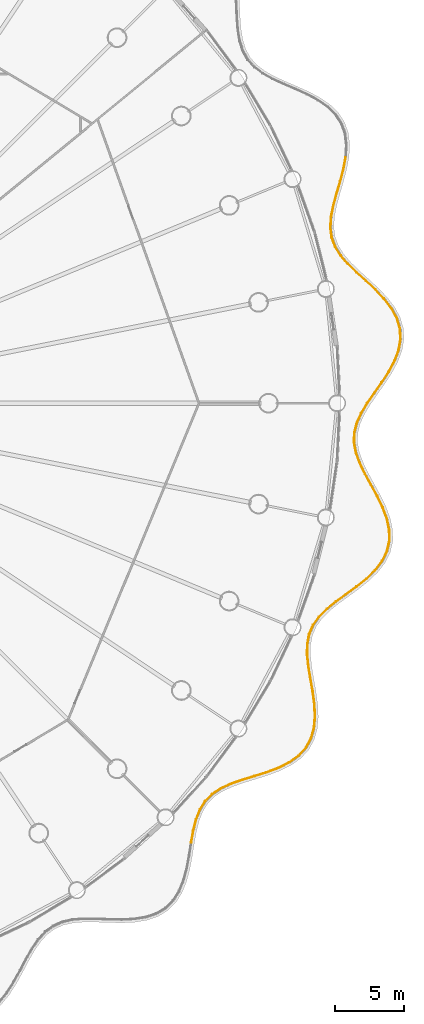
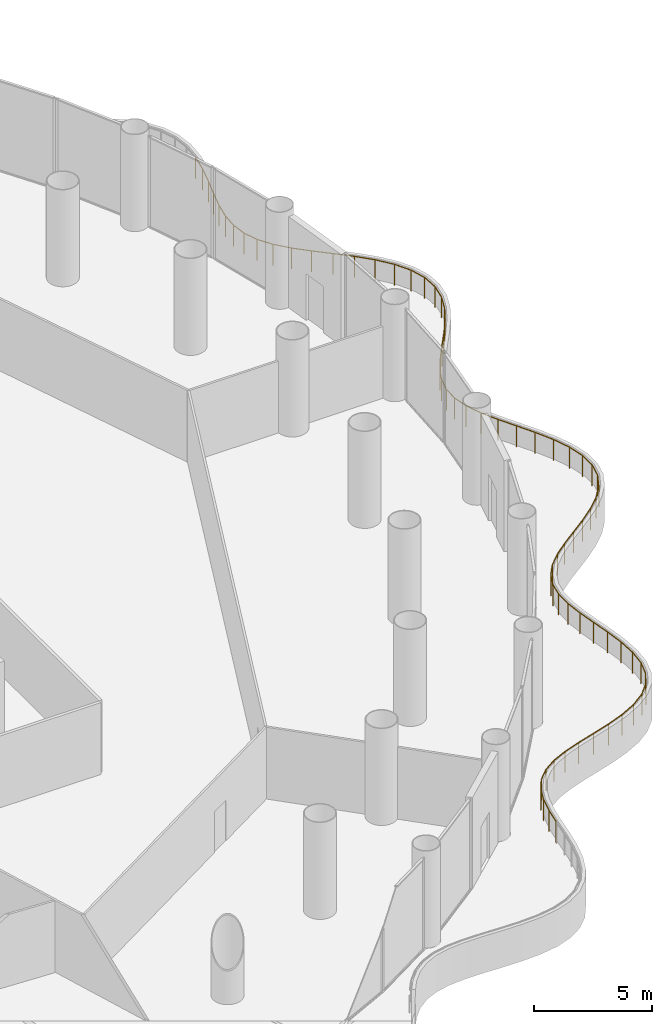
# One storey, part 33 of 35: 3 railings.
"""IFC4 building model written with IfcOpenShell, lengths in metres."""

from ifc_helpers import new_model, si_unit, direction, frame, origin, origin_2d, place, context, subcontext, project, spatial, circle, extrude, material, type_object, element, save


model = new_model("IFC4")

# Units and contexts
model_context = context("Model", 3, precision=1e-05, world=origin(), true_north=direction((0.0, 1.0)))
body_context = subcontext(model_context, "Body", "Model", "MODEL_VIEW")
ifc_project = project(units=[si_unit("LENGTHUNIT", "METRE"), si_unit("AREAUNIT", "SQUARE_METRE"), si_unit("VOLUMEUNIT", "CUBIC_METRE"), si_unit("PLANEANGLEUNIT", "RADIAN"), si_unit("MASSUNIT", "GRAM", prefix="KILO")], contexts=[model_context])

# Site, building, storey
site_placement = place(None, origin())
site = spatial("IfcSite", under=ifc_project, at=site_placement, CompositionType="ELEMENT")
building_placement = place(site_placement, origin())
building = spatial("IfcBuilding", under=site, at=building_placement, Name="Corvane Civic Tower", CompositionType="ELEMENT")
storey_placement = place(building_placement, frame((0.0, 0.0, 27.0)))
storey = spatial("IfcBuildingStorey", under=building, at=storey_placement, Name="L05", CompositionType="ELEMENT", Elevation=27.0)

# Railings
ifc_material = material(Name="Steel ASTM A572 Gr 50", Category="steel")
railing_type = type_object("IfcRailingType", Name="PODIUM-RL-GUARD-1100", PredefinedType="GUARDRAIL", material=ifc_material)
railing_1_placement = place(storey_placement, frame((32.0673828125, -32.03857421875, 0.0)))
element("IfcRailing", 1, at=railing_1_placement, inside=storey, type_object=railing_type, Name="L05 ribbon guard 11", PredefinedType="GUARDRAIL", context=body_context, shape_type="SweptSolid", body=[
    extrude(circle(Radius=0.02392578125, at=origin_2d()), frame((0.0, 0.0, 1.076171875), z_axis=(0.17197945119, 0.985100537188, 0.0), x_axis=(-0.985100537188, 0.17197945119, 0.0)), (0.0, 0.0, 1.0), 0.87158203125),
    extrude(circle(Radius=0.02392578125, at=origin_2d()), frame((0.14990234375, 0.858642578125, 1.076171875), z_axis=(0.240552729044, 0.970636072145, 0.0), x_axis=(-0.970636072145, 0.240552729044, 0.0)), (0.0, 0.0, 1.0), 0.84033203125),
    extrude(circle(Radius=0.02392578125, at=origin_2d()), frame((0.35205078125, 1.67431640625, 1.076171875), z_axis=(0.364127112488, 0.931349260993, 0.0), x_axis=(-0.931349260993, 0.364127112488, 0.0)), (0.0, 0.0, 1.0), 0.77783203125),
    extrude(circle(Radius=0.02392578125, at=origin_2d()), frame((0.63525390625, 2.398681640625, 1.076171875), z_axis=(0.531378363688, 0.847134602412, 0.0), x_axis=(-0.847134602412, 0.531378363688, 0.0)), (0.0, 0.0, 1.0), 0.7314453125),
    extrude(circle(Radius=0.02392578125, at=origin_2d()), frame((1.02392578125, 3.018310546875, 1.076171875), z_axis=(0.704058219448, 0.710142255909, 0.0), x_axis=(-0.710142255909, 0.704058219448, 0.0)), (0.0, 0.0, 1.0), 0.722412109375),
    extrude(circle(Radius=0.02392578125, at=origin_2d()), frame((1.532470703125, 3.53125, 1.076171875), z_axis=(0.834826447592, 0.550513217281, 0.0), x_axis=(-0.550513217281, 0.834826447592, 0.0)), (0.0, 0.0, 1.0), 0.7548828125),
    extrude(circle(Radius=0.02392578125, at=origin_2d()), frame((2.16259765625, 3.94677734375, 1.076171875), z_axis=(0.909934316687, 0.414752383134, 0.0), x_axis=(-0.414752383134, 0.909934316687, 0.0)), (0.0, 0.0, 1.0), 0.8134765625),
    extrude(circle(Radius=0.02392578125, at=origin_2d()), frame((2.90283203125, 4.2841796875, 1.076171875), z_axis=(0.944936308827, 0.32725429296, 0.0), x_axis=(-0.32725429296, 0.944936308827, 0.0)), (0.0, 0.0, 1.0), 0.875),
    extrude(circle(Radius=0.02392578125, at=origin_2d()), frame((3.729736328125, 4.570556640625, 1.076171875), z_axis=(0.957010999793, 0.290051626915, 0.0), x_axis=(-0.290051626915, 0.957010999793, 0.0)), (0.0, 0.0, 1.0), 0.919189453125),
    extrude(circle(Radius=0.02392578125, at=origin_2d()), frame((4.609375, 4.837158203125, 1.076171875), z_axis=(0.954098219534, 0.299493885551, 0.0), x_axis=(-0.299493885551, 0.954098219534, 0.0)), (0.0, 0.0, 1.0), 0.93505859375),
    extrude(circle(Radius=0.02392578125, at=origin_2d()), frame((5.50146484375, 5.1171875, 1.076171875), z_axis=(0.93572746823, 0.352723837017, 0.0), x_axis=(-0.352723837017, 0.93572746823, 0.0)), (0.0, 0.0, 1.0), 0.919189453125),
    extrude(circle(Radius=0.02392578125, at=origin_2d()), frame((6.361572265625, 5.44140625, 1.076171875), z_axis=(0.893704177194, 0.448656710266, 0.0), x_axis=(-0.448656710266, 0.893704177194, 0.0)), (0.0, 0.0, 1.0), 0.87939453125),
    extrude(circle(Radius=0.02392578125, at=origin_2d()), frame((7.1474609375, 5.8359375, 1.076171875), z_axis=(0.812498858808, 0.582962781347, 0.0), x_axis=(-0.582962781347, 0.812498858808, 0.0)), (0.0, 0.0, 1.0), 0.82958984375),
    extrude(circle(Radius=0.02392578125, at=origin_2d()), frame((7.821533203125, 6.319580078125, 1.076171875), z_axis=(0.676018384359, 0.73688475626, 0.0), x_axis=(-0.73688475626, 0.676018384359, 0.0)), (0.0, 0.0, 1.0), 0.790283203125),
    extrude(circle(Radius=0.02392578125, at=origin_2d()), frame((8.355712890625, 6.90185546875, 1.076171875), z_axis=(0.485882298795, 0.874024251218, 0.0), x_axis=(-0.874024251218, 0.485882298795, 0.0)), (0.0, 0.0, 1.0), 0.779296875),
    extrude(circle(Radius=0.02392578125, at=origin_2d()), frame((8.734375, 7.5830078125, 1.076171875), z_axis=(0.275404329988, 0.961328484455, 0.0), x_axis=(-0.961328484455, 0.275404329988, 0.0)), (0.0, 0.0, 1.0), 0.80224609375),
    extrude(circle(Radius=0.02392578125, at=origin_2d()), frame((8.955322265625, 8.354248046875, 1.076171875), z_axis=(0.089574843607, 0.995980093874, 0.0), x_axis=(-0.995980093874, 0.089574843607, 0.0)), (0.0, 0.0, 1.0), 0.84765625),
    extrude(circle(Radius=0.02392578125, at=origin_2d()), frame((9.03125, 9.198486328125, 1.076171875), z_axis=(-0.047668682951, 0.998863202178, 0.0), x_axis=(-0.998863202178, -0.047668682951, 0.0)), (0.0, 0.0, 1.0), 0.896240234375),
    extrude(circle(Radius=0.02392578125, at=origin_2d()), frame((8.988525390625, 10.09375, 1.076171875), z_axis=(-0.133834148505, 0.991003744036, 0.0), x_axis=(-0.991003744036, -0.133834148505, 0.0)), (0.0, 0.0, 1.0), 0.928466796875),
    extrude(circle(Radius=0.02392578125, at=origin_2d()), frame((8.8642578125, 11.013916015625, 1.076171875), z_axis=(-0.17250097261, 0.985009347392, 0.0), x_axis=(-0.985009347392, -0.17250097261, 0.0)), (0.0, 0.0, 1.0), 0.9326171875),
    extrude(circle(Radius=0.02392578125, at=origin_2d()), frame((8.703369140625, 11.9326171875, 1.076171875), z_axis=(-0.164923362683, 0.98630638467, 0.0), x_axis=(-0.98630638467, -0.164923362683, 0.0)), (0.0, 0.0, 1.0), 0.906005859375),
    extrude(circle(Radius=0.02392578125, at=origin_2d()), frame((8.553955078125, 12.826171875, 1.076171875), z_axis=(-0.107007929362, 0.994258167205, 0.0), x_axis=(-0.994258167205, -0.107007929362, 0.0)), (0.0, 0.0, 1.0), 0.853271484375),
    extrude(circle(Radius=0.02392578125, at=origin_2d()), frame((8.462646484375, 13.674560546875, 1.076171875), z_axis=(0.009576329479, 0.999954145906, 0.0), x_axis=(-0.999954145906, 0.009576329479, 0.0)), (0.0, 0.0, 1.0), 0.790283203125),
    extrude(circle(Radius=0.02392578125, at=origin_2d()), frame((8.47021484375, 14.46484375, 1.076171875), z_axis=(0.184784369024, 0.982779088587, 0.0), x_axis=(-0.982779088587, 0.184784369024, 0.0)), (0.0, 0.0, 1.0), 0.71337890625),
    extrude(circle(Radius=0.02099609375, at=origin_2d()), origin(), (0.0, 0.0, 1.0), 1.052001953125),
    extrude(circle(Radius=0.02099609375, at=origin_2d()), frame((0.14990234375, 0.858642578125, 0.0)), (0.0, 0.0, 1.0), 1.052001953125),
    extrude(circle(Radius=0.02099609375, at=origin_2d()), frame((0.35205078125, 1.67431640625, 0.0)), (0.0, 0.0, 1.0), 1.052001953125),
    extrude(circle(Radius=0.02099609375, at=origin_2d()), frame((0.63525390625, 2.398681640625, 0.0)), (0.0, 0.0, 1.0), 1.052001953125),
    extrude(circle(Radius=0.02099609375, at=origin_2d()), frame((1.02392578125, 3.018310546875, 0.0)), (0.0, 0.0, 1.0), 1.052001953125),
    extrude(circle(Radius=0.02099609375, at=origin_2d()), frame((1.532470703125, 3.53125, 0.0)), (0.0, 0.0, 1.0), 1.052001953125),
    extrude(circle(Radius=0.02099609375, at=origin_2d()), frame((2.16259765625, 3.94677734375, 0.0)), (0.0, 0.0, 1.0), 1.052001953125),
    extrude(circle(Radius=0.02099609375, at=origin_2d()), frame((2.90283203125, 4.2841796875, 0.0)), (0.0, 0.0, 1.0), 1.052001953125),
    extrude(circle(Radius=0.02099609375, at=origin_2d()), frame((3.729736328125, 4.570556640625, 0.0)), (0.0, 0.0, 1.0), 1.052001953125),
    extrude(circle(Radius=0.02099609375, at=origin_2d()), frame((4.609375, 4.837158203125, 0.0)), (0.0, 0.0, 1.0), 1.052001953125),
    extrude(circle(Radius=0.02099609375, at=origin_2d()), frame((5.50146484375, 5.1171875, 0.0)), (0.0, 0.0, 1.0), 1.052001953125),
    extrude(circle(Radius=0.02099609375, at=origin_2d()), frame((6.361572265625, 5.44140625, 0.0)), (0.0, 0.0, 1.0), 1.052001953125),
    extrude(circle(Radius=0.02099609375, at=origin_2d()), frame((7.1474609375, 5.8359375, 0.0)), (0.0, 0.0, 1.0), 1.052001953125),
    extrude(circle(Radius=0.02099609375, at=origin_2d()), frame((7.821533203125, 6.319580078125, 0.0)), (0.0, 0.0, 1.0), 1.052001953125),
    extrude(circle(Radius=0.02099609375, at=origin_2d()), frame((8.355712890625, 6.90185546875, 0.0)), (0.0, 0.0, 1.0), 1.052001953125),
    extrude(circle(Radius=0.02099609375, at=origin_2d()), frame((8.734375, 7.5830078125, 0.0)), (0.0, 0.0, 1.0), 1.052001953125),
    extrude(circle(Radius=0.02099609375, at=origin_2d()), frame((8.955322265625, 8.354248046875, 0.0)), (0.0, 0.0, 1.0), 1.052001953125),
    extrude(circle(Radius=0.02099609375, at=origin_2d()), frame((9.03125, 9.198486328125, 0.0)), (0.0, 0.0, 1.0), 1.052001953125),
    extrude(circle(Radius=0.02099609375, at=origin_2d()), frame((8.988525390625, 10.09375, 0.0)), (0.0, 0.0, 1.0), 1.052001953125),
    extrude(circle(Radius=0.02099609375, at=origin_2d()), frame((8.8642578125, 11.013916015625, 0.0)), (0.0, 0.0, 1.0), 1.052001953125),
    extrude(circle(Radius=0.02099609375, at=origin_2d()), frame((8.703369140625, 11.9326171875, 0.0)), (0.0, 0.0, 1.0), 1.052001953125),
    extrude(circle(Radius=0.02099609375, at=origin_2d()), frame((8.553955078125, 12.826171875, 0.0)), (0.0, 0.0, 1.0), 1.052001953125),
    extrude(circle(Radius=0.02099609375, at=origin_2d()), frame((8.462646484375, 13.674560546875, 0.0)), (0.0, 0.0, 1.0), 1.052001953125),
    extrude(circle(Radius=0.02099609375, at=origin_2d()), frame((8.47021484375, 14.46484375, 0.0)), (0.0, 0.0, 1.0), 1.052001953125),
    extrude(circle(Radius=0.02099609375, at=origin_2d()), frame((8.60205078125, 15.166015625, 0.0)), (0.0, 0.0, 1.0), 1.052001953125),
])
railing_2_placement = place(storey_placement, frame((40.683837890625, -16.824951171875, 0.0)))
element("IfcRailing", 2, at=railing_2_placement, inside=storey, type_object=railing_type, Name="L05 ribbon guard 12", PredefinedType="GUARDRAIL", context=body_context, shape_type="SweptSolid", body=[
    extrude(circle(Radius=0.02392578125, at=origin_2d()), frame((0.0, 0.0, 1.076171875), z_axis=(0.392648450262, 0.919688639979, 0.0), x_axis=(-0.919688639979, 0.392648450262, 0.0)), (0.0, 0.0, 1.0), 0.69580078125),
    extrude(circle(Radius=0.02392578125, at=origin_2d()), frame((0.273193359375, 0.639892578125, 1.076171875), z_axis=(0.578662648037, 0.815567005075, 0.0), x_axis=(-0.815567005075, 0.578662648037, 0.0)), (0.0, 0.0, 1.0), 0.7451171875),
    extrude(circle(Radius=0.02392578125, at=origin_2d()), frame((0.704345703125, 1.24755859375, 1.076171875), z_axis=(0.706648958876, 0.707564307268, 0.0), x_axis=(-0.707564307268, 0.706648958876, 0.0)), (0.0, 0.0, 1.0), 0.800048828125),
    extrude(circle(Radius=0.02392578125, at=origin_2d()), frame((1.269775390625, 1.813720703125, 1.076171875), z_axis=(0.778100739541, 0.628139506102, 0.0), x_axis=(-0.628139506102, 0.778100739541, 0.0)), (0.0, 0.0, 1.0), 0.86279296875),
    extrude(circle(Radius=0.02392578125, at=origin_2d()), frame((1.941162109375, 2.355712890625, 1.076171875), z_axis=(0.808620320993, 0.588330839305, 0.0), x_axis=(-0.588330839305, 0.808620320993, 0.0)), (0.0, 0.0, 1.0), 0.912109375),
    extrude(circle(Radius=0.02392578125, at=origin_2d()), frame((2.6787109375, 2.892333984375, 1.076171875), z_axis=(0.808634355419, 0.588311549466, 0.0), x_axis=(-0.588311549466, 0.808634355419, 0.0)), (0.0, 0.0, 1.0), 0.93408203125),
    extrude(circle(Radius=0.02392578125, at=origin_2d()), frame((3.43408203125, 3.44189453125, 1.076171875), z_axis=(0.780430885858, 0.625242059045, 0.0), x_axis=(-0.625242059045, 0.780430885858, 0.0)), (0.0, 0.0, 1.0), 0.925048828125),
    extrude(circle(Radius=0.02392578125, at=origin_2d()), frame((4.156005859375, 4.020263671875, 1.076171875), z_axis=(0.718274525848, 0.695759804472, 0.0), x_axis=(-0.695759804472, 0.718274525848, 0.0)), (0.0, 0.0, 1.0), 0.88916015625),
    extrude(circle(Radius=0.02392578125, at=origin_2d()), frame((4.794677734375, 4.638916015625, 1.076171875), z_axis=(0.609261138416, 0.792969649618, 0.0), x_axis=(-0.792969649618, 0.609261138416, 0.0)), (0.0, 0.0, 1.0), 0.83984375),
    extrude(circle(Radius=0.02392578125, at=origin_2d()), frame((5.306396484375, 5.304931640625, 1.076171875), z_axis=(0.442549118131, 0.896744265686, 0.0), x_axis=(-0.896744265686, 0.442549118131, 0.0)), (0.0, 0.0, 1.0), 0.796630859375),
    extrude(circle(Radius=0.02392578125, at=origin_2d()), frame((5.658935546875, 6.019287109375, 1.076171875), z_axis=(0.22479081448, 0.974407045195, 0.0), x_axis=(-0.974407045195, 0.22479081448, 0.0)), (0.0, 0.0, 1.0), 0.77880859375),
    extrude(circle(Radius=0.02392578125, at=origin_2d()), frame((5.833984375, 6.778076171875, 1.076171875), z_axis=(-0.005835281486, 0.9999829746, 0.0), x_axis=(-0.9999829746, -0.005835281486, 0.0)), (0.0, 0.0, 1.0), 0.794921875),
    extrude(circle(Radius=0.02392578125, at=origin_2d()), frame((5.829345703125, 7.572998046875, 1.076171875), z_axis=(-0.203849440794, 0.979002249991, 0.0), x_axis=(-0.979002249991, -0.203849440794, 0.0)), (0.0, 0.0, 1.0), 0.837158203125),
    extrude(circle(Radius=0.02392578125, at=origin_2d()), frame((5.65869140625, 8.392578125, 1.076171875), z_axis=(-0.346292090421, 0.938126744162, 0.0), x_axis=(-0.938126744162, -0.346292090421, 0.0)), (0.0, 0.0, 1.0), 0.886962890625),
    extrude(circle(Radius=0.02392578125, at=origin_2d()), frame((5.3515625, 9.224609375, 1.076171875), z_axis=(-0.435864894401, 0.900012107601, 0.0), x_axis=(-0.900012107601, -0.435864894401, 0.0)), (0.0, 0.0, 1.0), 0.923583984375),
    extrude(circle(Radius=0.02392578125, at=origin_2d()), frame((4.948974609375, 10.055908203125, 1.076171875), z_axis=(-0.47910835533, 0.877755765491, 0.0), x_axis=(-0.877755765491, -0.47910835533, 0.0)), (0.0, 0.0, 1.0), 0.9345703125),
    extrude(circle(Radius=0.02392578125, at=origin_2d()), frame((4.501220703125, 10.876220703125, 1.076171875), z_axis=(-0.48107769897, 0.876677961143, 0.0), x_axis=(-0.876677961143, -0.48107769897, 0.0)), (0.0, 0.0, 1.0), 0.9140625),
    extrude(circle(Radius=0.02392578125, at=origin_2d()), frame((4.0615234375, 11.677490234375, 1.076171875), z_axis=(-0.439301158642, 0.898339853294, 0.0), x_axis=(-0.898339853294, -0.439301158642, 0.0)), (0.0, 0.0, 1.0), 0.865966796875),
    extrude(circle(Radius=0.02392578125, at=origin_2d()), frame((3.68115234375, 12.455322265625, 1.076171875), z_axis=(-0.343888648541, 0.939010435195, 0.0), x_axis=(-0.939010435195, -0.343888648541, 0.0)), (0.0, 0.0, 1.0), 0.8037109375),
    extrude(circle(Radius=0.02392578125, at=origin_2d()), frame((3.40478515625, 13.2099609375, 1.076171875), z_axis=(-0.185235244446, 0.982694206869, 0.0), x_axis=(-0.982694206869, -0.185235244446, 0.0)), (0.0, 0.0, 1.0), 0.747314453125),
    extrude(circle(Radius=0.02392578125, at=origin_2d()), frame((3.266357421875, 13.9443359375, 1.076171875), z_axis=(0.025745445057, 0.999668531094, 0.0), x_axis=(-0.999668531094, 0.025745445057, 0.0)), (0.0, 0.0, 1.0), 0.720703125),
    extrude(circle(Radius=0.02392578125, at=origin_2d()), frame((3.284912109375, 14.664794921875, 1.076171875), z_axis=(0.241599759092, 0.970375987134, 0.0), x_axis=(-0.970375987134, 0.241599759092, 0.0)), (0.0, 0.0, 1.0), 0.736572265625),
    extrude(circle(Radius=0.02392578125, at=origin_2d()), frame((3.462890625, 15.379638671875, 1.076171875), z_axis=(0.410996558744, 0.911636895206, 0.0), x_axis=(-0.911636895206, 0.410996558744, 0.0)), (0.0, 0.0, 1.0), 0.787109375),
    extrude(circle(Radius=0.02392578125, at=origin_2d()), frame((3.786376953125, 16.09716796875, 1.076171875), z_axis=(0.517147247165, 0.855896445108, 0.0), x_axis=(-0.855896445108, 0.517147247165, 0.0)), (0.0, 0.0, 1.0), 0.8251953125),
    extrude(circle(Radius=0.02099609375, at=origin_2d()), origin(), (0.0, 0.0, 1.0), 1.052001953125),
    extrude(circle(Radius=0.02099609375, at=origin_2d()), frame((0.273193359375, 0.639892578125, 0.0)), (0.0, 0.0, 1.0), 1.052001953125),
    extrude(circle(Radius=0.02099609375, at=origin_2d()), frame((0.704345703125, 1.24755859375, 0.0)), (0.0, 0.0, 1.0), 1.052001953125),
    extrude(circle(Radius=0.02099609375, at=origin_2d()), frame((1.269775390625, 1.813720703125, 0.0)), (0.0, 0.0, 1.0), 1.052001953125),
    extrude(circle(Radius=0.02099609375, at=origin_2d()), frame((1.941162109375, 2.355712890625, 0.0)), (0.0, 0.0, 1.0), 1.052001953125),
    extrude(circle(Radius=0.02099609375, at=origin_2d()), frame((2.6787109375, 2.892333984375, 0.0)), (0.0, 0.0, 1.0), 1.052001953125),
    extrude(circle(Radius=0.02099609375, at=origin_2d()), frame((3.43408203125, 3.44189453125, 0.0)), (0.0, 0.0, 1.0), 1.052001953125),
    extrude(circle(Radius=0.02099609375, at=origin_2d()), frame((4.156005859375, 4.020263671875, 0.0)), (0.0, 0.0, 1.0), 1.052001953125),
    extrude(circle(Radius=0.02099609375, at=origin_2d()), frame((4.794677734375, 4.638916015625, 0.0)), (0.0, 0.0, 1.0), 1.052001953125),
    extrude(circle(Radius=0.02099609375, at=origin_2d()), frame((5.306396484375, 5.304931640625, 0.0)), (0.0, 0.0, 1.0), 1.052001953125),
    extrude(circle(Radius=0.02099609375, at=origin_2d()), frame((5.658935546875, 6.019287109375, 0.0)), (0.0, 0.0, 1.0), 1.052001953125),
    extrude(circle(Radius=0.02099609375, at=origin_2d()), frame((5.833984375, 6.778076171875, 0.0)), (0.0, 0.0, 1.0), 1.052001953125),
    extrude(circle(Radius=0.02099609375, at=origin_2d()), frame((5.829345703125, 7.572998046875, 0.0)), (0.0, 0.0, 1.0), 1.052001953125),
    extrude(circle(Radius=0.02099609375, at=origin_2d()), frame((5.65869140625, 8.392578125, 0.0)), (0.0, 0.0, 1.0), 1.052001953125),
    extrude(circle(Radius=0.02099609375, at=origin_2d()), frame((5.3515625, 9.224609375, 0.0)), (0.0, 0.0, 1.0), 1.052001953125),
    extrude(circle(Radius=0.02099609375, at=origin_2d()), frame((4.948974609375, 10.055908203125, 0.0)), (0.0, 0.0, 1.0), 1.052001953125),
    extrude(circle(Radius=0.02099609375, at=origin_2d()), frame((4.501220703125, 10.876220703125, 0.0)), (0.0, 0.0, 1.0), 1.052001953125),
    extrude(circle(Radius=0.02099609375, at=origin_2d()), frame((4.0615234375, 11.677490234375, 0.0)), (0.0, 0.0, 1.0), 1.052001953125),
    extrude(circle(Radius=0.02099609375, at=origin_2d()), frame((3.68115234375, 12.455322265625, 0.0)), (0.0, 0.0, 1.0), 1.052001953125),
    extrude(circle(Radius=0.02099609375, at=origin_2d()), frame((3.40478515625, 13.2099609375, 0.0)), (0.0, 0.0, 1.0), 1.052001953125),
    extrude(circle(Radius=0.02099609375, at=origin_2d()), frame((3.266357421875, 13.9443359375, 0.0)), (0.0, 0.0, 1.0), 1.052001953125),
    extrude(circle(Radius=0.02099609375, at=origin_2d()), frame((3.284912109375, 14.664794921875, 0.0)), (0.0, 0.0, 1.0), 1.052001953125),
    extrude(circle(Radius=0.02099609375, at=origin_2d()), frame((3.462890625, 15.379638671875, 0.0)), (0.0, 0.0, 1.0), 1.052001953125),
    extrude(circle(Radius=0.02099609375, at=origin_2d()), frame((3.786376953125, 16.09716796875, 0.0)), (0.0, 0.0, 1.0), 1.052001953125),
    extrude(circle(Radius=0.02099609375, at=origin_2d()), frame((4.213134765625, 16.803466796875, 0.0)), (0.0, 0.0, 1.0), 1.052001953125),
])
railing_3_placement = place(storey_placement, frame((44.924072265625, 0.0205078125, 0.0)))
element("IfcRailing", 3, at=railing_3_placement, inside=storey, type_object=railing_type, Name="L05 ribbon guard 13", PredefinedType="GUARDRAIL", context=body_context, shape_type="SweptSolid", body=[
    extrude(circle(Radius=0.02392578125, at=origin_2d()), frame((0.0, 0.0, 1.076171875), z_axis=(0.568660915, 0.822572041678, 0.0), x_axis=(-0.822572041678, 0.568660915, 0.0)), (0.0, 0.0, 1.0), 0.87890625),
    extrude(circle(Radius=0.02392578125, at=origin_2d()), frame((0.499755859375, 0.722900390625, 1.076171875), z_axis=(0.57721775227, 0.816590268411, 0.0), x_axis=(-0.816590268411, 0.57721775227, 0.0)), (0.0, 0.0, 1.0), 0.93212890625),
    extrude(circle(Radius=0.02392578125, at=origin_2d()), frame((1.037841796875, 1.484130859375, 1.076171875), z_axis=(0.546612268457, 0.837385829813, 0.0), x_axis=(-0.837385829813, 0.546612268457, 0.0)), (0.0, 0.0, 1.0), 0.929443359375),
    extrude(circle(Radius=0.02392578125, at=origin_2d()), frame((1.5458984375, 2.262451171875, 1.076171875), z_axis=(0.47450492985, 0.880252845237, 0.0), x_axis=(-0.880252845237, 0.47450492985, 0.0)), (0.0, 0.0, 1.0), 0.8984375),
    extrude(circle(Radius=0.02392578125, at=origin_2d()), frame((1.97216796875, 3.05322265625, 1.076171875), z_axis=(0.351909725768, 0.936033944315, 0.0), x_axis=(-0.936033944315, 0.351909725768, 0.0)), (0.0, 0.0, 1.0), 0.8505859375),
    extrude(circle(Radius=0.02392578125, at=origin_2d()), frame((2.271484375, 3.849365234375, 1.076171875), z_axis=(0.17217408361, 0.985066538328, 0.0), x_axis=(-0.985066538328, 0.17217408361, 0.0)), (0.0, 0.0, 1.0), 0.803955078125),
    extrude(circle(Radius=0.02392578125, at=origin_2d()), frame((2.409912109375, 4.641357421875, 1.076171875), z_axis=(-0.053857123903, 0.998548651897, 0.0), x_axis=(-0.998548651897, -0.053857123903, 0.0)), (0.0, 0.0, 1.0), 0.77978515625),
    extrude(circle(Radius=0.02392578125, at=origin_2d()), frame((2.367919921875, 5.419921875, 1.076171875), z_axis=(-0.285331434771, 0.958428908335, 0.0), x_axis=(-0.958428908335, -0.285331434771, 0.0)), (0.0, 0.0, 1.0), 0.788818359375),
    extrude(circle(Radius=0.02392578125, at=origin_2d()), frame((2.142822265625, 6.176025390625, 1.076171875), z_axis=(-0.477652034744, 0.878549107168, 0.0), x_axis=(-0.878549107168, -0.477652034744, 0.0)), (0.0, 0.0, 1.0), 0.826904296875),
    extrude(circle(Radius=0.02392578125, at=origin_2d()), frame((1.747802734375, 6.902587890625, 1.076171875), z_axis=(-0.611122571136, 0.791535977103, 0.0), x_axis=(-0.791535977103, -0.611122571136, 0.0)), (0.0, 0.0, 1.0), 0.876953125),
    extrude(circle(Radius=0.02392578125, at=origin_2d()), frame((1.2119140625, 7.5966796875, 1.076171875), z_axis=(-0.69273115496, 0.7211959144, 0.0), x_axis=(-0.7211959144, -0.69273115496, 0.0)), (0.0, 0.0, 1.0), 0.917724609375),
    extrude(circle(Radius=0.02392578125, at=origin_2d()), frame((0.576171875, 8.258544921875, 1.076171875), z_axis=(-0.733871572255, 0.679288241792, 0.0), x_axis=(-0.679288241792, -0.733871572255, 0.0)), (0.0, 0.0, 1.0), 0.934814453125),
    extrude(circle(Radius=0.02392578125, at=origin_2d()), frame((-0.10986328125, 8.8935546875, 1.076171875), z_axis=(-0.742119659929, 0.670267417042, 0.0), x_axis=(-0.670267417042, -0.742119659929, 0.0)), (0.0, 0.0, 1.0), 0.9208984375),
    extrude(circle(Radius=0.02392578125, at=origin_2d()), frame((-0.793212890625, 9.5107421875, 1.076171875), z_axis=(-0.717184070385, 0.696883784562, 0.0), x_axis=(-0.696883784562, -0.717184070385, 0.0)), (0.0, 0.0, 1.0), 0.8779296875),
    extrude(circle(Radius=0.02392578125, at=origin_2d()), frame((-1.4228515625, 10.12255859375, 1.076171875), z_axis=(-0.650619072476, 0.759404255012, 0.0), x_axis=(-0.759404255012, -0.650619072476, 0.0)), (0.0, 0.0, 1.0), 0.81689453125),
    extrude(circle(Radius=0.02392578125, at=origin_2d()), frame((-1.954345703125, 10.742919921875, 1.076171875), z_axis=(-0.528317378365, 0.849046964377, 0.0), x_axis=(-0.849046964377, -0.528317378365, 0.0)), (0.0, 0.0, 1.0), 0.75732421875),
    extrude(circle(Radius=0.02392578125, at=origin_2d()), frame((-2.3544921875, 11.385986328125, 1.076171875), z_axis=(-0.344750673314, 0.938694291689, 0.0), x_axis=(-0.938694291689, -0.344750673314, 0.0)), (0.0, 0.0, 1.0), 0.72314453125),
    extrude(circle(Radius=0.02392578125, at=origin_2d()), frame((-2.603759765625, 12.064697265625, 1.076171875), z_axis=(-0.130125684943, 0.991497506864, 0.0), x_axis=(-0.991497506864, -0.130125684943, 0.0)), (0.0, 0.0, 1.0), 0.729736328125),
    extrude(circle(Radius=0.02392578125, at=origin_2d()), frame((-2.69873046875, 12.788330078125, 1.076171875), z_axis=(0.059886009549, 0.998205222317, 0.0), x_axis=(-0.998205222317, 0.059886009549, 0.0)), (0.0, 0.0, 1.0), 0.774658203125),
    extrude(circle(Radius=0.02392578125, at=origin_2d()), frame((-2.65234375, 13.5615234375, 1.076171875), z_axis=(0.191291109817, 0.981533347016, 0.0), x_axis=(-0.981533347016, 0.191291109817, 0.0)), (0.0, 0.0, 1.0), 0.837158203125),
    extrude(circle(Radius=0.02392578125, at=origin_2d()), frame((-2.4921875, 14.38330078125, 1.076171875), z_axis=(0.262724536639, 0.964870881439, 0.0), x_axis=(-0.964870881439, 0.262724536639, 0.0)), (0.0, 0.0, 1.0), 0.89404296875),
    extrude(circle(Radius=0.02392578125, at=origin_2d()), frame((-2.25732421875, 15.245849609375, 1.076171875), z_axis=(0.282351351328, 0.959311062379, 0.0), x_axis=(-0.959311062379, 0.282351351328, 0.0)), (0.0, 0.0, 1.0), 0.9287109375),
    extrude(circle(Radius=0.02392578125, at=origin_2d()), frame((-1.9951171875, 16.13671875, 1.076171875), z_axis=(0.256245058711, 0.966611850686, 0.0), x_axis=(-0.966611850686, 0.256245058711, 0.0)), (0.0, 0.0, 1.0), 0.932861328125),
    extrude(circle(Radius=0.02392578125, at=origin_2d()), frame((-1.756103515625, 17.038330078125, 1.076171875), z_axis=(0.184439018576, 0.982843959348, 0.0), x_axis=(-0.982843959348, 0.184439018576, 0.0)), (0.0, 0.0, 1.0), 0.881591796875),
    extrude(circle(Radius=0.02099609375, at=origin_2d()), origin(), (0.0, 0.0, 1.0), 1.052001953125),
    extrude(circle(Radius=0.02099609375, at=origin_2d()), frame((0.499755859375, 0.722900390625, 0.0)), (0.0, 0.0, 1.0), 1.052001953125),
    extrude(circle(Radius=0.02099609375, at=origin_2d()), frame((1.037841796875, 1.484130859375, 0.0)), (0.0, 0.0, 1.0), 1.052001953125),
    extrude(circle(Radius=0.02099609375, at=origin_2d()), frame((1.5458984375, 2.262451171875, 0.0)), (0.0, 0.0, 1.0), 1.052001953125),
    extrude(circle(Radius=0.02099609375, at=origin_2d()), frame((1.97216796875, 3.05322265625, 0.0)), (0.0, 0.0, 1.0), 1.052001953125),
    extrude(circle(Radius=0.02099609375, at=origin_2d()), frame((2.271484375, 3.849365234375, 0.0)), (0.0, 0.0, 1.0), 1.052001953125),
    extrude(circle(Radius=0.02099609375, at=origin_2d()), frame((2.409912109375, 4.641357421875, 0.0)), (0.0, 0.0, 1.0), 1.052001953125),
    extrude(circle(Radius=0.02099609375, at=origin_2d()), frame((2.367919921875, 5.419921875, 0.0)), (0.0, 0.0, 1.0), 1.052001953125),
    extrude(circle(Radius=0.02099609375, at=origin_2d()), frame((2.142822265625, 6.176025390625, 0.0)), (0.0, 0.0, 1.0), 1.052001953125),
    extrude(circle(Radius=0.02099609375, at=origin_2d()), frame((1.747802734375, 6.902587890625, 0.0)), (0.0, 0.0, 1.0), 1.052001953125),
    extrude(circle(Radius=0.02099609375, at=origin_2d()), frame((1.2119140625, 7.5966796875, 0.0)), (0.0, 0.0, 1.0), 1.052001953125),
    extrude(circle(Radius=0.02099609375, at=origin_2d()), frame((0.576171875, 8.258544921875, 0.0)), (0.0, 0.0, 1.0), 1.052001953125),
    extrude(circle(Radius=0.02099609375, at=origin_2d()), frame((-0.10986328125, 8.8935546875, 0.0)), (0.0, 0.0, 1.0), 1.052001953125),
    extrude(circle(Radius=0.02099609375, at=origin_2d()), frame((-0.793212890625, 9.5107421875, 0.0)), (0.0, 0.0, 1.0), 1.052001953125),
    extrude(circle(Radius=0.02099609375, at=origin_2d()), frame((-1.4228515625, 10.12255859375, 0.0)), (0.0, 0.0, 1.0), 1.052001953125),
    extrude(circle(Radius=0.02099609375, at=origin_2d()), frame((-1.954345703125, 10.742919921875, 0.0)), (0.0, 0.0, 1.0), 1.052001953125),
    extrude(circle(Radius=0.02099609375, at=origin_2d()), frame((-2.3544921875, 11.385986328125, 0.0)), (0.0, 0.0, 1.0), 1.052001953125),
    extrude(circle(Radius=0.02099609375, at=origin_2d()), frame((-2.603759765625, 12.064697265625, 0.0)), (0.0, 0.0, 1.0), 1.052001953125),
    extrude(circle(Radius=0.02099609375, at=origin_2d()), frame((-2.69873046875, 12.788330078125, 0.0)), (0.0, 0.0, 1.0), 1.052001953125),
    extrude(circle(Radius=0.02099609375, at=origin_2d()), frame((-2.65234375, 13.5615234375, 0.0)), (0.0, 0.0, 1.0), 1.052001953125),
    extrude(circle(Radius=0.02099609375, at=origin_2d()), frame((-2.4921875, 14.38330078125, 0.0)), (0.0, 0.0, 1.0), 1.052001953125),
    extrude(circle(Radius=0.02099609375, at=origin_2d()), frame((-2.25732421875, 15.245849609375, 0.0)), (0.0, 0.0, 1.0), 1.052001953125),
    extrude(circle(Radius=0.02099609375, at=origin_2d()), frame((-1.9951171875, 16.13671875, 0.0)), (0.0, 0.0, 1.0), 1.052001953125),
    extrude(circle(Radius=0.02099609375, at=origin_2d()), frame((-1.756103515625, 17.038330078125, 0.0)), (0.0, 0.0, 1.0), 1.052001953125),
    extrude(circle(Radius=0.02099609375, at=origin_2d()), frame((-1.593505859375, 17.90478515625, 0.0)), (0.0, 0.0, 1.0), 1.052001953125),
])

save(model, "model.ifc")
